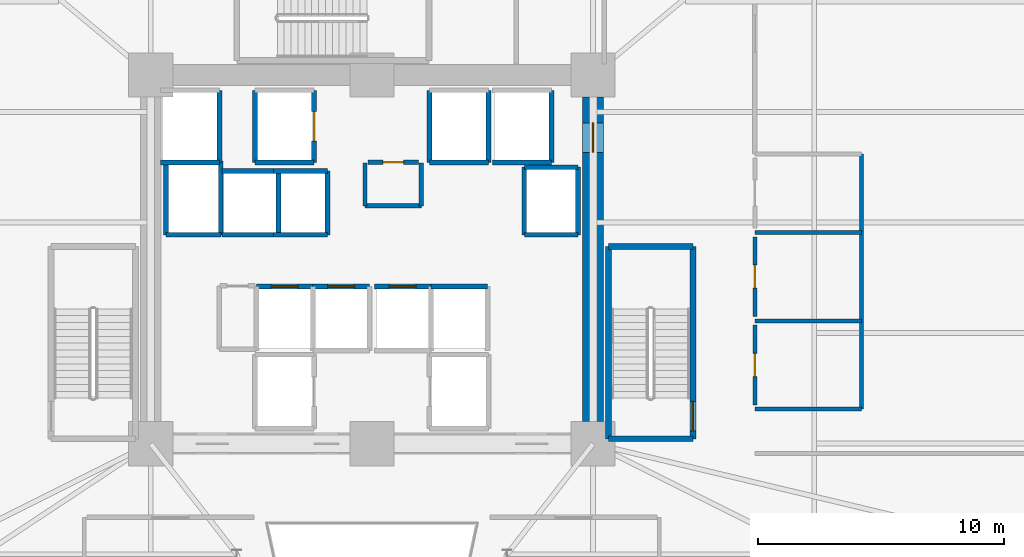
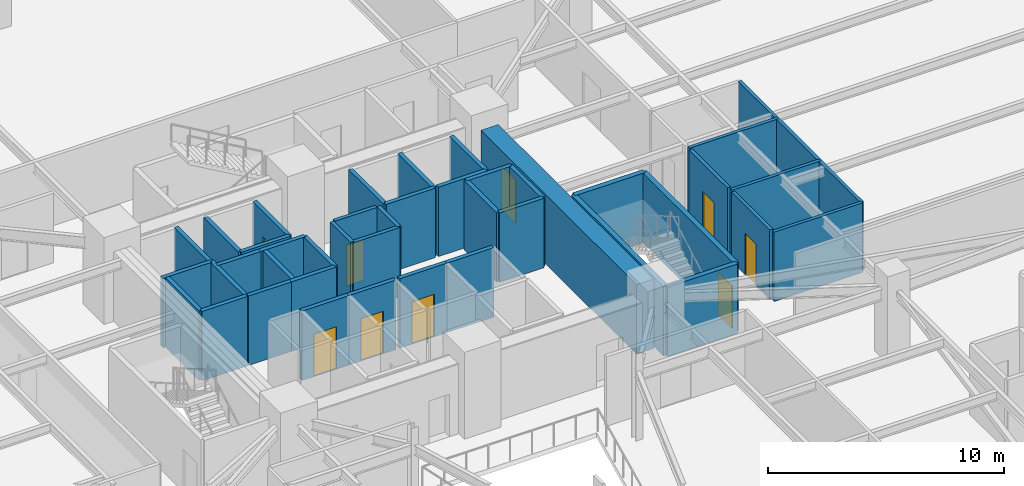
# One storey, part 9 of 19: 42 walls, 9 doors, 9 openings.
"""IFC4 building model written with IfcOpenShell, lengths in metres."""

from ifc_helpers import new_model, si_unit, direction, frame, frame_2d, origin, place, context, subcontext, project, spatial, rectangle, extrude, source, transform, mapped, material, layer, layer_set, type_object, element, fill, save


model = new_model("IFC4")

# Units and contexts
model_context = context("Model", 3, precision=1e-05, world=origin(), true_north=direction((0.0, 1.0)))
body_context = subcontext(model_context, "Body", "Model", "MODEL_VIEW")
ifc_project = project(units=[si_unit("LENGTHUNIT", "METRE"), si_unit("AREAUNIT", "SQUARE_METRE"), si_unit("VOLUMEUNIT", "CUBIC_METRE"), si_unit("PLANEANGLEUNIT", "RADIAN"), si_unit("MASSUNIT", "GRAM", prefix="KILO")], contexts=[model_context])

# Site, building, storey
site_placement = place(None, origin())
site = spatial("IfcSite", under=ifc_project, at=site_placement, CompositionType="ELEMENT")
building_placement = place(site_placement, origin())
building = spatial("IfcBuilding", under=site, at=building_placement, Name="Liaohun Quay Tower", CompositionType="ELEMENT")
storey_placement = place(building_placement, frame((0.0, 0.0, 18.89990234375)))
storey = spatial("IfcBuildingStorey", under=building, at=storey_placement, Name="L05", CompositionType="ELEMENT", Elevation=18.89990234375)

# Wall, opening, door
ifc_material_1 = material(Name="Concrete C60", Category="concrete")
ifc_layer_1 = layer(ifc_material_1, 0.85009765625, Name="Concrete C60", Category="concrete")
ifc_layer_set_1 = layer_set([ifc_layer_1], Name="Concrete C60")
wall_type_1 = type_object("IfcWallType", Name="WAL-COR-Z1", PredefinedType="SHEAR", material=ifc_layer_set_1)
wall_1_placement = place(storey_placement, frame((69.0, 60.60009765625, 0.0), z_axis=(0.0, 0.0, 1.0), x_axis=(0.0, -1.0, 0.0)))
wall_1 = element("IfcWall", 1, at=wall_1_placement, inside=storey, type_object=wall_type_1, Name="L05 Central Core Shear Wall E", PredefinedType="SHEAR", context=body_context, shape_type="SweptSolid", body=[
    extrude(rectangle(XDim=13.2001953125, YDim=0.85009765625, at=frame_2d((6.60009765625, 0.0))), origin(), (0.0, 0.0, 1.0), 3.60009765625),
])
shared_shape_1 = source(origin(), body_context, "Body", "SweptSolid", [
    extrude(rectangle(XDim=1.199951171875, YDim=2.199951171875, at=frame_2d((0.60009765625, 1.10009765625))), frame((0.0, 0.43505859375, 0.0), z_axis=(0.0, -1.0, 0.0), x_axis=(1.0, 0.0, 0.0)), (0.0, 0.0, 1.0), 0.8701171875),
])
opening_1_placement = place(wall_1_placement, frame((1.050048828125, 0.0, 0.0)))
opening_1 = element("IfcOpeningElement", 2, at=opening_1_placement, cuts=wall_1, Name="Opening SD1", PredefinedType="OPENING", context=body_context, shape_type="MappedRepresentation", body=[
    mapped(shared_shape_1, transform((0.0, 0.0, 0.0), x_axis=(1.0, 0.0, 0.0), y_axis=(0.0, 1.0, 0.0), z_axis=(0.0, 0.0, 1.0), scale=1.0)),
])
ifc_material_2 = material(Name="Galvanised steel fire door", Category="steel")
door_type_1 = type_object("IfcDoorType", Name="DOR-STR-1200", OperationType="NOTDEFINED", PredefinedType="DOOR", material=ifc_material_2)
shared_shape_2 = source(origin(), body_context, "Body", "SweptSolid", [
    extrude(rectangle(XDim=1.199951171875, YDim=2.199951171875, at=frame_2d((0.60009765625, 1.10009765625))), frame((0.0, 0.02490234375, 0.0), z_axis=(0.0, -1.0, 0.0), x_axis=(1.0, 0.0, 0.0)), (0.0, 0.0, 1.0), 0.050048828125),
])
door_1_placement = place(opening_1_placement, origin())
door_1 = element("IfcDoor", 3, at=door_1_placement, inside=storey, type_object=door_type_1, Name="L05 North-East Core Lobby Smokeproof Door", OperationType="SINGLE_SWING_LEFT", OverallHeight=2.199951171875, OverallWidth=1.199951171875, PredefinedType="DOOR", context=body_context, shape_type="MappedRepresentation", body=[
    mapped(shared_shape_2, transform((0.0, 0.0, 0.0), x_axis=(1.0, 0.0, 0.0), y_axis=(0.0, 1.0, 0.0), z_axis=(0.0, 0.0, 1.0), scale=1.0)),
])
fill(opening_1, door_1)

ifc_material_3 = material(Name="Autoclaved aerated concrete blockwork", Category="masonry")
ifc_layer_2 = layer(ifc_material_3, 0.179931640625, Name="Autoclaved aerated concrete blockwork", Category="masonry")
ifc_layer_set_2 = layer_set([ifc_layer_2], Name="Autoclaved aerated concrete blockwork")
wall_type_2 = type_object("IfcWallType", Name="WAL-PRT-COR", PredefinedType="PARTITIONING", material=ifc_layer_set_2)
wall_2_placement = place(storey_placement, frame((59.840087890625, 57.949951171875, 0.0), z_axis=(0.0, 0.0, 1.0), x_axis=(1.0, 0.0, 0.0)))
wall_2 = element("IfcWall", 4, at=wall_2_placement, inside=storey, type_object=wall_type_2, Name="L05 Interior Partition Wall 001", PredefinedType="PARTITIONING", context=body_context, shape_type="SweptSolid", body=[
    extrude(rectangle(XDim=2.059814453125, YDim=0.179931640625, at=frame_2d((1.02978515625, 0.0))), origin(), (0.0, 0.0, 1.0), 3.60009765625),
])
shared_shape_3 = source(origin(), body_context, "Body", "SweptSolid", [
    extrude(rectangle(XDim=0.85009765625, YDim=2.10009765625, at=frame_2d((0.425048828125, 1.050048828125))), frame((0.0, 0.099853515625, 0.0), z_axis=(0.0, -1.0, 0.0), x_axis=(1.0, 0.0, 0.0)), (0.0, 0.0, 1.0), 0.199951171875),
])
opening_2_placement = place(wall_2_placement, frame((0.60498046875, 0.0, 0.0)))
opening_2 = element("IfcOpeningElement", 5, at=opening_2_placement, cuts=wall_2, Name="Opening AD1", PredefinedType="OPENING", context=body_context, shape_type="MappedRepresentation", body=[
    mapped(shared_shape_3, transform((0.0, 0.0, 0.0), x_axis=(1.0, 0.0, 0.0), y_axis=(0.0, 1.0, 0.0), z_axis=(0.0, 0.0, 1.0), scale=1.0)),
])
ifc_material_4 = material(Name="Steel riser inspection fire door", Category="steel")
door_type_2 = type_object("IfcDoorType", Name="DOR-SHF-850", OperationType="NOTDEFINED", PredefinedType="DOOR", material=ifc_material_4)
shared_shape_4 = source(origin(), body_context, "Body", "SweptSolid", [
    extrude(rectangle(XDim=0.85009765625, YDim=2.10009765625, at=frame_2d((0.425048828125, 1.050048828125))), frame((0.0, 0.02490234375, 0.0), z_axis=(0.0, -1.0, 0.0), x_axis=(1.0, 0.0, 0.0)), (0.0, 0.0, 1.0), 0.050048828125),
])
door_2_placement = place(opening_2_placement, origin())
door_2 = element("IfcDoor", 6, at=door_2_placement, inside=storey, type_object=door_type_2, Name="L05 Core Janitor and Cleaner Store Door", OperationType="SINGLE_SWING_RIGHT", OverallHeight=2.10009765625, OverallWidth=0.85009765625, PredefinedType="DOOR", context=body_context, shape_type="MappedRepresentation", body=[
    mapped(shared_shape_4, transform((0.0, 0.0, 0.0), x_axis=(1.0, 0.0, 0.0), y_axis=(0.0, 1.0, 0.0), z_axis=(0.0, 0.0, 1.0), scale=1.0)),
])
fill(opening_2, door_2)

# Walls
for number, where, z_axis, x_axis, name in (
    (7, (59.719970703125, 56.179931640625, 0.0), (0.0, 0.0, 1.0), (0.0, 1.0, 0.0), "L05 Interior Partition Wall 017"),
    (8, (62.010009765625, 56.179931640625, 0.0), (0.0, 0.0, 1.0), (0.0, 1.0, 0.0), "L05 Interior Partition Wall 018"),
):
    element("IfcWall", number, at=place(storey_placement, frame(where, z_axis=z_axis, x_axis=x_axis)), inside=storey, type_object=wall_type_2, Name=name, PredefinedType="PARTITIONING", context=body_context, shape_type="SweptSolid", body=[
        extrude(rectangle(XDim=1.739990234375, YDim=0.179931640625, at=frame_2d((0.8701171875, 0.0))), origin(), (0.0, 0.0, 1.0), 3.60009765625),
    ])
wall_3_placement = place(storey_placement, frame((59.719970703125, 56.179931640625, 0.0), z_axis=(0.0, 0.0, 1.0), x_axis=(1.0, 0.0, 0.0)))
element("IfcWall", 9, at=wall_3_placement, inside=storey, type_object=wall_type_2, Name="L05 Interior Partition Wall 019", PredefinedType="PARTITIONING", context=body_context, shape_type="SweptSolid", body=[
    extrude(rectangle(XDim=2.2900390625, YDim=0.179931640625, at=frame_2d((1.14501953125, 0.0))), origin(), (0.0, 0.0, 1.0), 3.60009765625),
])

# Wall, opening, door
ifc_material_5 = material(Name="Moisture-resistant masonry blockwork", Category="masonry")
ifc_layer_3 = layer(ifc_material_5, 0.159912109375, Name="Moisture-resistant masonry blockwork", Category="masonry")
ifc_layer_set_3 = layer_set([ifc_layer_3], Name="Moisture-resistant masonry blockwork")
wall_type_3 = type_object("IfcWallType", Name="WAL-PRT-WET", PredefinedType="PARTITIONING", material=ifc_layer_set_3)
wall_4_placement = place(storey_placement, frame((75.580078125, 48.080078125, 0.0), z_axis=(0.0, 0.0, 1.0), x_axis=(0.0, 1.0, 0.0)))
wall_4 = element("IfcWall", 10, at=wall_4_placement, inside=storey, type_object=wall_type_3, Name="L05 Interior Partition Wall 003", PredefinedType="PARTITIONING", context=body_context, shape_type="SweptSolid", body=[
    extrude(rectangle(XDim=3.239990234375, YDim=0.159912109375, at=frame_2d((1.6201171875, 0.0))), origin(), (0.0, 0.0, 1.0), 3.60009765625),
])
shared_shape_5 = source(origin(), body_context, "Body", "SweptSolid", [
    extrude(rectangle(XDim=0.949951171875, YDim=2.14990234375, at=frame_2d((0.47509765625, 1.074951171875))), frame((0.0, 0.08984375, 0.0), z_axis=(0.0, -1.0, 0.0), x_axis=(1.0, 0.0, 0.0)), (0.0, 0.0, 1.0), 0.179931640625),
])
opening_3_placement = place(wall_4_placement, frame((1.14501953125, 0.0, 0.0)))
opening_3 = element("IfcOpeningElement", 11, at=opening_3_placement, cuts=wall_4, Name="Opening WD1", PredefinedType="OPENING", context=body_context, shape_type="MappedRepresentation", body=[
    mapped(shared_shape_5, transform((0.0, 0.0, 0.0), x_axis=(1.0, 0.0, 0.0), y_axis=(0.0, 1.0, 0.0), z_axis=(0.0, 0.0, 1.0), scale=1.0)),
])
ifc_material_6 = material(Name="Moisture-resistant laminate timber leaf", Category="wood")
door_type_3 = type_object("IfcDoorType", Name="DOR-WC-950", OperationType="NOTDEFINED", PredefinedType="DOOR", material=ifc_material_6)
shared_shape_6 = source(origin(), body_context, "Body", "SweptSolid", [
    extrude(rectangle(XDim=0.949951171875, YDim=2.14990234375, at=frame_2d((0.47509765625, 1.074951171875))), frame((0.0, 0.02490234375, 0.0), z_axis=(0.0, -1.0, 0.0), x_axis=(1.0, 0.0, 0.0)), (0.0, 0.0, 1.0), 0.050048828125),
])
door_3_placement = place(opening_3_placement, origin())
door_3 = element("IfcDoor", 12, at=door_3_placement, inside=storey, type_object=door_type_3, Name="L05 Podium Male Restroom WC Door", OperationType="SINGLE_SWING_RIGHT", OverallHeight=2.14990234375, OverallWidth=0.949951171875, PredefinedType="DOOR", context=body_context, shape_type="MappedRepresentation", body=[
    mapped(shared_shape_6, transform((0.0, 0.0, 0.0), x_axis=(1.0, 0.0, 0.0), y_axis=(0.0, 1.0, 0.0), z_axis=(0.0, 0.0, 1.0), scale=1.0)),
])
fill(opening_3, door_3)

wall_5_placement = place(storey_placement, frame((75.580078125, 51.679931640625, 0.0), z_axis=(0.0, 0.0, 1.0), x_axis=(0.0, 1.0, 0.0)))
wall_5 = element("IfcWall", 13, at=wall_5_placement, inside=storey, type_object=wall_type_3, Name="L05 Interior Partition Wall 004", PredefinedType="PARTITIONING", context=body_context, shape_type="SweptSolid", body=[
    extrude(rectangle(XDim=3.239990234375, YDim=0.159912109375, at=frame_2d((1.6201171875, 0.0))), origin(), (0.0, 0.0, 1.0), 3.60009765625),
])
opening_4_placement = place(wall_5_placement, frame((1.14501953125, 0.0, 0.0)))
opening_4 = element("IfcOpeningElement", 14, at=opening_4_placement, cuts=wall_5, Name="Opening WD1", PredefinedType="OPENING", context=body_context, shape_type="MappedRepresentation", body=[
    mapped(shared_shape_5, transform((0.0, 0.0, 0.0), x_axis=(1.0, 0.0, 0.0), y_axis=(0.0, 1.0, 0.0), z_axis=(0.0, 0.0, 1.0), scale=1.0)),
])
door_4_placement = place(opening_4_placement, origin())
door_4 = element("IfcDoor", 15, at=door_4_placement, inside=storey, type_object=door_type_3, Name="L05 Podium Female Restroom WC Door", OperationType="SINGLE_SWING_LEFT", OverallHeight=2.14990234375, OverallWidth=0.949951171875, PredefinedType="DOOR", context=body_context, shape_type="MappedRepresentation", body=[
    mapped(shared_shape_6, transform((0.0, 0.0, 0.0), x_axis=(1.0, 0.0, 0.0), y_axis=(0.0, 1.0, 0.0), z_axis=(0.0, 0.0, 1.0), scale=1.0)),
])
fill(opening_4, door_4)

# Walls
wall_6_placement = place(storey_placement, frame((79.919921875, 47.919921875, 0.0), z_axis=(0.0, 0.0, 1.0), x_axis=(0.0, 1.0, 0.0)))
element("IfcWall", 16, at=wall_6_placement, inside=storey, type_object=wall_type_3, Name="L05 Interior Partition Wall 022", PredefinedType="PARTITIONING", context=body_context, shape_type="SweptSolid", body=[
    extrude(rectangle(XDim=10.360107421875, YDim=0.159912109375, at=frame_2d((5.18017578125, 0.0))), origin(), (0.0, 0.0, 1.0), 3.60009765625),
])
for number, where, z_axis, x_axis, name in (
    (17, (75.580078125, 47.919921875, 0.0), (0.0, 0.0, 1.0), (1.0, 0.0, 0.0), "L05 Interior Partition Wall 023"),
    (18, (75.580078125, 51.5, 0.0), (0.0, 0.0, 1.0), (1.0, 0.0, 0.0), "L05 Interior Partition Wall 024"),
    (19, (75.580078125, 55.10009765625, 0.0), (0.0, 0.0, 1.0), (1.0, 0.0, 0.0), "L05 Interior Partition Wall 025"),
):
    element("IfcWall", number, at=place(storey_placement, frame(where, z_axis=z_axis, x_axis=x_axis)), inside=storey, type_object=wall_type_3, Name=name, PredefinedType="PARTITIONING", context=body_context, shape_type="SweptSolid", body=[
        extrude(rectangle(XDim=4.33984375, YDim=0.159912109375, at=frame_2d((2.169921875, 0.0))), origin(), (0.0, 0.0, 1.0), 3.60009765625),
    ])
ifc_material_7 = material(Name="Concrete C50", Category="concrete")
ifc_layer_4 = layer(ifc_material_7, 0.239990234375, Name="Concrete C50", Category="concrete")
ifc_layer_set_4 = layer_set([ifc_layer_4], Name="Concrete C50")
wall_type_4 = type_object("IfcWallType", Name="WAL-SHF-200", PredefinedType="SOLIDWALL", material=ifc_layer_set_4)
wall_7_placement = place(storey_placement, frame((69.6201171875, 46.699951171875, 0.0), z_axis=(0.0, 0.0, 1.0), x_axis=(1.0, 0.0, 0.0)))
element("IfcWall", 20, at=wall_7_placement, inside=storey, type_object=wall_type_4, Name="L05 Stairwell ST-2 Structural Core Wall S", PredefinedType="SOLIDWALL", context=body_context, shape_type="SweptSolid", body=[
    extrude(rectangle(XDim=3.43994140625, YDim=0.239990234375, at=frame_2d((1.719970703125, 0.0))), origin(), (0.0, 0.0, 1.0), 3.60009765625),
])

# Wall, opening, door
wall_8_placement = place(storey_placement, frame((73.06005859375, 46.699951171875, 0.0), z_axis=(0.0, 0.0, 1.0), x_axis=(0.0, 1.0, 0.0)))
wall_8 = element("IfcWall", 21, at=wall_8_placement, inside=storey, type_object=wall_type_4, Name="L05 Stairwell ST-2 Structural Core Wall E", PredefinedType="SOLIDWALL", context=body_context, shape_type="SweptSolid", body=[
    extrude(rectangle(XDim=7.820068359375, YDim=0.239990234375, at=frame_2d((3.91015625, 0.0))), origin(), (0.0, 0.0, 1.0), 3.60009765625),
])
shared_shape_7 = source(origin(), body_context, "Body", "SweptSolid", [
    extrude(rectangle(XDim=1.199951171875, YDim=2.199951171875, at=frame_2d((0.60009765625, 1.10009765625))), frame((0.0, 0.1298828125, 0.0), z_axis=(0.0, -1.0, 0.0), x_axis=(1.0, 0.0, 0.0)), (0.0, 0.0, 1.0), 0.260009765625),
])
opening_5_placement = place(wall_8_placement, frame((0.320068359375, 0.0, 0.0)))
opening_5 = element("IfcOpeningElement", 22, at=opening_5_placement, cuts=wall_8, Name="Opening SD1", PredefinedType="OPENING", context=body_context, shape_type="MappedRepresentation", body=[
    mapped(shared_shape_7, transform((0.0, 0.0, 0.0), x_axis=(1.0, 0.0, 0.0), y_axis=(0.0, 1.0, 0.0), z_axis=(0.0, 0.0, 1.0), scale=1.0)),
])
door_5_placement = place(opening_5_placement, origin())
door_5 = element("IfcDoor", 23, at=door_5_placement, inside=storey, type_object=door_type_1, Name="L05 Protected Stair ST-2 Fire Door", OperationType="SINGLE_SWING_RIGHT", OverallHeight=2.199951171875, OverallWidth=1.199951171875, PredefinedType="DOOR", context=body_context, shape_type="MappedRepresentation", body=[
    mapped(shared_shape_2, transform((0.0, 0.0, 0.0), x_axis=(1.0, 0.0, 0.0), y_axis=(0.0, 1.0, 0.0), z_axis=(0.0, 0.0, 1.0), scale=1.0)),
])
fill(opening_5, door_5)

# Walls
wall_9_placement = place(storey_placement, frame((73.06005859375, 54.52001953125, 0.0), z_axis=(0.0, 0.0, 1.0), x_axis=(-1.0, 0.0, 0.0)))
element("IfcWall", 24, at=wall_9_placement, inside=storey, type_object=wall_type_4, Name="L05 Stairwell ST-2 Structural Core Wall N", PredefinedType="SOLIDWALL", context=body_context, shape_type="SweptSolid", body=[
    extrude(rectangle(XDim=3.43994140625, YDim=0.239990234375, at=frame_2d((1.719970703125, 0.0))), origin(), (0.0, 0.0, 1.0), 3.60009765625),
])
wall_10_placement = place(storey_placement, frame((69.6201171875, 54.52001953125, 0.0), z_axis=(0.0, 0.0, 1.0), x_axis=(0.0, -1.0, 0.0)))
element("IfcWall", 25, at=wall_10_placement, inside=storey, type_object=wall_type_4, Name="L05 Stairwell ST-2 Structural Core Wall W", PredefinedType="SOLIDWALL", context=body_context, shape_type="SweptSolid", body=[
    extrude(rectangle(XDim=7.820068359375, YDim=0.239990234375, at=frame_2d((3.91015625, 0.0))), origin(), (0.0, 0.0, 1.0), 3.60009765625),
])
wall_11_placement = place(storey_placement, frame((55.25, 57.949951171875, 0.0), z_axis=(0.0, 0.0, 1.0), x_axis=(1.0, 0.0, 0.0)))
element("IfcWall", 26, at=wall_11_placement, inside=storey, type_object=wall_type_4, Name="L05 Lift FF-03 Hoistway Wall S", PredefinedType="SOLIDWALL", context=body_context, shape_type="SweptSolid", body=[
    extrude(rectangle(XDim=2.39990234375, YDim=0.199951171875, at=frame_2d((1.199951171875, 0.0))), origin(), (0.0, 0.0, 1.0), 3.60009765625),
])

# Wall, opening, door
wall_12_placement = place(storey_placement, frame((57.64990234375, 57.949951171875, 0.0), z_axis=(0.0, 0.0, 1.0), x_axis=(0.0, 1.0, 0.0)))
wall_12 = element("IfcWall", 27, at=wall_12_placement, inside=storey, type_object=wall_type_4, Name="L05 Lift FF-03 Hoistway Wall E", PredefinedType="SOLIDWALL", context=body_context, shape_type="SweptSolid", body=[
    extrude(rectangle(XDim=2.929931640625, YDim=0.199951171875, at=frame_2d((1.46484375, 0.0))), origin(), (0.0, 0.0, 1.0), 3.60009765625),
])
shared_shape_8 = source(origin(), body_context, "Body", "SweptSolid", [
    extrude(rectangle(XDim=1.199951171875, YDim=2.300048828125, at=frame_2d((0.60009765625, 1.14990234375))), frame((0.0, 0.10986328125, 0.0), z_axis=(0.0, -1.0, 0.0), x_axis=(1.0, 0.0, 0.0)), (0.0, 0.0, 1.0), 0.219970703125),
])
opening_6_placement = place(wall_12_placement, frame((0.864990234375, 0.0, 0.0)))
opening_6 = element("IfcOpeningElement", 28, at=opening_6_placement, cuts=wall_12, Name="Opening LD2", PredefinedType="OPENING", context=body_context, shape_type="MappedRepresentation", body=[
    mapped(shared_shape_8, transform((0.0, 0.0, 0.0), x_axis=(1.0, 0.0, 0.0), y_axis=(0.0, 1.0, 0.0), z_axis=(0.0, 0.0, 1.0), scale=1.0)),
])
ifc_material_8 = material(Name="Brushed stainless steel stretcher landing door", Category="steel")
door_type_4 = type_object("IfcDoorType", Name="DOR-LFT-1200", OperationType="SLIDING_TO_LEFT", PredefinedType="DOOR", material=ifc_material_8)
shared_shape_9 = source(origin(), body_context, "Body", "SweptSolid", [
    extrude(rectangle(XDim=1.199951171875, YDim=2.300048828125, at=frame_2d((0.60009765625, 1.14990234375))), frame((0.0, 0.02490234375, 0.0), z_axis=(0.0, -1.0, 0.0), x_axis=(1.0, 0.0, 0.0)), (0.0, 0.0, 1.0), 0.050048828125),
])
door_6_placement = place(opening_6_placement, origin())
door_6 = element("IfcDoor", 29, at=door_6_placement, inside=storey, type_object=door_type_4, Name="L05 Lift FF-03 Sliding Landing Door", OperationType="SLIDING_TO_LEFT", OverallHeight=2.300048828125, OverallWidth=1.199951171875, PredefinedType="DOOR", context=body_context, shape_type="MappedRepresentation", body=[
    mapped(shared_shape_9, transform((0.0, 0.0, 0.0), x_axis=(1.0, 0.0, 0.0), y_axis=(0.0, 1.0, 0.0), z_axis=(0.0, 0.0, 1.0), scale=1.0)),
])
fill(opening_6, door_6)

# Walls
wall_13_placement = place(storey_placement, frame((55.25, 60.8798828125, 0.0), z_axis=(0.0, 0.0, 1.0), x_axis=(0.0, -1.0, 0.0)))
element("IfcWall", 30, at=wall_13_placement, inside=storey, type_object=wall_type_4, Name="L05 Lift FF-03 Hoistway Wall W", PredefinedType="SOLIDWALL", context=body_context, shape_type="SweptSolid", body=[
    extrude(rectangle(XDim=2.929931640625, YDim=0.199951171875, at=frame_2d((1.46484375, 0.0))), origin(), (0.0, 0.0, 1.0), 3.60009765625),
])
wall_14_placement = place(storey_placement, frame((62.35009765625, 57.949951171875, 0.0), z_axis=(0.0, 0.0, 1.0), x_axis=(1.0, 0.0, 0.0)))
element("IfcWall", 31, at=wall_14_placement, inside=storey, type_object=wall_type_4, Name="L05 Lift OB-01 Hoistway Wall S", PredefinedType="SOLIDWALL", context=body_context, shape_type="SweptSolid", body=[
    extrude(rectangle(XDim=2.39990234375, YDim=0.199951171875, at=frame_2d((1.199951171875, 0.0))), origin(), (0.0, 0.0, 1.0), 3.60009765625),
])
for number, where, z_axis, x_axis, name in (
    (32, (64.75, 57.949951171875, 0.0), (0.0, 0.0, 1.0), (0.0, 1.0, 0.0), "L05 Lift OB-01 Hoistway Wall E"),
    (33, (62.35009765625, 60.8798828125, 0.0), (0.0, 0.0, 1.0), (0.0, -1.0, 0.0), "L05 Lift OB-01 Hoistway Wall W"),
):
    element("IfcWall", number, at=place(storey_placement, frame(where, z_axis=z_axis, x_axis=x_axis)), inside=storey, type_object=wall_type_4, Name=name, PredefinedType="SOLIDWALL", context=body_context, shape_type="SweptSolid", body=[
        extrude(rectangle(XDim=2.929931640625, YDim=0.199951171875, at=frame_2d((1.46484375, 0.0))), origin(), (0.0, 0.0, 1.0), 3.60009765625),
    ])
wall_15_placement = place(storey_placement, frame((64.89990234375, 57.949951171875, 0.0), z_axis=(0.0, 0.0, 1.0), x_axis=(1.0, 0.0, 0.0)))
element("IfcWall", 34, at=wall_15_placement, inside=storey, type_object=wall_type_4, Name="L05 Lift OB-02 Hoistway Wall S", PredefinedType="SOLIDWALL", context=body_context, shape_type="SweptSolid", body=[
    extrude(rectangle(XDim=2.400146484375, YDim=0.199951171875, at=frame_2d((1.2001953125, 0.0))), origin(), (0.0, 0.0, 1.0), 3.60009765625),
])
wall_16_placement = place(storey_placement, frame((67.300048828125, 57.949951171875, 0.0), z_axis=(0.0, 0.0, 1.0), x_axis=(0.0, 1.0, 0.0)))
element("IfcWall", 35, at=wall_16_placement, inside=storey, type_object=wall_type_4, Name="L05 Lift OB-02 Hoistway Wall E", PredefinedType="SOLIDWALL", context=body_context, shape_type="SweptSolid", body=[
    extrude(rectangle(XDim=2.929931640625, YDim=0.199951171875, at=frame_2d((1.46484375, 0.0))), origin(), (0.0, 0.0, 1.0), 3.60009765625),
])
wall_17_placement = place(storey_placement, frame((51.39990234375, 57.949951171875, 0.0), z_axis=(0.0, 0.0, 1.0), x_axis=(1.0, 0.0, 0.0)))
element("IfcWall", 36, at=wall_17_placement, inside=storey, type_object=wall_type_4, Name="L05 Lift SH-01 Hoistway Wall S", PredefinedType="SOLIDWALL", context=body_context, shape_type="SweptSolid", body=[
    extrude(rectangle(XDim=2.400146484375, YDim=0.199951171875, at=frame_2d((1.2001953125, 0.0))), origin(), (0.0, 0.0, 1.0), 3.60009765625),
])
wall_18_placement = place(storey_placement, frame((53.800048828125, 57.949951171875, 0.0), z_axis=(0.0, 0.0, 1.0), x_axis=(0.0, 1.0, 0.0)))
element("IfcWall", 37, at=wall_18_placement, inside=storey, type_object=wall_type_4, Name="L05 Lift SH-01 Hoistway Wall E", PredefinedType="SOLIDWALL", context=body_context, shape_type="SweptSolid", body=[
    extrude(rectangle(XDim=2.929931640625, YDim=0.199951171875, at=frame_2d((1.46484375, 0.0))), origin(), (0.0, 0.0, 1.0), 3.60009765625),
])
wall_19_placement = place(storey_placement, frame((51.6201171875, 55.0, 0.0), z_axis=(0.0, 0.0, 1.0), x_axis=(1.0, 0.0, 0.0)))
element("IfcWall", 38, at=wall_19_placement, inside=storey, type_object=wall_type_4, Name="L05 Lift SH-02 Hoistway Wall S", PredefinedType="SOLIDWALL", context=body_context, shape_type="SweptSolid", body=[
    extrude(rectangle(XDim=2.22998046875, YDim=0.199951171875, at=frame_2d((1.114990234375, 0.0))), origin(), (0.0, 0.0, 1.0), 3.60009765625),
])
for number, where, z_axis, x_axis, name in (
    (39, (53.85009765625, 55.0, 0.0), (0.0, 0.0, 1.0), (0.0, 1.0, 0.0), "L05 Lift SH-02 Hoistway Wall E"),
    (40, (51.6201171875, 58.0, 0.0), (0.0, 0.0, 1.0), (0.0, -1.0, 0.0), "L05 Lift SH-02 Hoistway Wall W"),
):
    element("IfcWall", number, at=place(storey_placement, frame(where, z_axis=z_axis, x_axis=x_axis)), inside=storey, type_object=wall_type_4, Name=name, PredefinedType="SOLIDWALL", context=body_context, shape_type="SweptSolid", body=[
        extrude(rectangle(XDim=3.0, YDim=0.199951171875, at=frame_2d((1.5, 0.0))), origin(), (0.0, 0.0, 1.0), 3.60009765625),
    ])
wall_20_placement = place(storey_placement, frame((66.199951171875, 55.0, 0.0), z_axis=(0.0, 0.0, 1.0), x_axis=(1.0, 0.0, 0.0)))
element("IfcWall", 41, at=wall_20_placement, inside=storey, type_object=wall_type_4, Name="L05 Lift SH-03 Hoistway Wall S", PredefinedType="SOLIDWALL", context=body_context, shape_type="SweptSolid", body=[
    extrude(rectangle(XDim=2.179931640625, YDim=0.199951171875, at=frame_2d((1.08984375, 0.0))), origin(), (0.0, 0.0, 1.0), 3.60009765625),
])
wall_21_placement = place(storey_placement, frame((68.3798828125, 55.0, 0.0), z_axis=(0.0, 0.0, 1.0), x_axis=(0.0, 1.0, 0.0)))
element("IfcWall", 42, at=wall_21_placement, inside=storey, type_object=wall_type_4, Name="L05 Lift SH-03 Hoistway Wall E", PredefinedType="SOLIDWALL", context=body_context, shape_type="SweptSolid", body=[
    extrude(rectangle(XDim=2.75, YDim=0.199951171875, at=frame_2d((1.375, 0.0))), origin(), (0.0, 0.0, 1.0), 3.60009765625),
])
wall_22_placement = place(storey_placement, frame((68.3798828125, 57.75, 0.0), z_axis=(0.0, 0.0, 1.0), x_axis=(-1.0, 0.0, 0.0)))
element("IfcWall", 43, at=wall_22_placement, inside=storey, type_object=wall_type_4, Name="L05 Lift SH-03 Hoistway Wall N", PredefinedType="SOLIDWALL", context=body_context, shape_type="SweptSolid", body=[
    extrude(rectangle(XDim=2.179931640625, YDim=0.199951171875, at=frame_2d((1.08984375, 0.0))), origin(), (0.0, 0.0, 1.0), 3.60009765625),
])
wall_23_placement = place(storey_placement, frame((66.199951171875, 57.75, 0.0), z_axis=(0.0, 0.0, 1.0), x_axis=(0.0, -1.0, 0.0)))
element("IfcWall", 44, at=wall_23_placement, inside=storey, type_object=wall_type_4, Name="L05 Lift SH-03 Hoistway Wall W", PredefinedType="SOLIDWALL", context=body_context, shape_type="SweptSolid", body=[
    extrude(rectangle(XDim=2.75, YDim=0.199951171875, at=frame_2d((1.375, 0.0))), origin(), (0.0, 0.0, 1.0), 3.60009765625),
])

# Wall, opening, door
wall_24_placement = place(storey_placement, frame((57.60009765625, 52.89990234375, 0.0), z_axis=(0.0, 0.0, 1.0), x_axis=(-1.0, 0.0, 0.0)))
wall_24 = element("IfcWall", 45, at=wall_24_placement, inside=storey, type_object=wall_type_4, Name="L05 Lift PL-1A Hoistway Wall N", PredefinedType="SOLIDWALL", context=body_context, shape_type="SweptSolid", body=[
    extrude(rectangle(XDim=2.300048828125, YDim=0.199951171875, at=frame_2d((1.14990234375, 0.0))), origin(), (0.0, 0.0, 1.0), 3.60009765625),
])
shared_shape_10 = source(origin(), body_context, "Body", "SweptSolid", [
    extrude(rectangle(XDim=1.10009765625, YDim=2.199951171875, at=frame_2d((0.550048828125, 1.10009765625))), frame((0.0, 0.10986328125, 0.0), z_axis=(0.0, -1.0, 0.0), x_axis=(1.0, 0.0, 0.0)), (0.0, 0.0, 1.0), 0.219970703125),
])
opening_7_placement = place(wall_24_placement, frame((0.60009765625, 0.0, 0.0)))
opening_7 = element("IfcOpeningElement", 46, at=opening_7_placement, cuts=wall_24, Name="Opening LD1", PredefinedType="OPENING", context=body_context, shape_type="MappedRepresentation", body=[
    mapped(shared_shape_10, transform((0.0, 0.0, 0.0), x_axis=(1.0, 0.0, 0.0), y_axis=(0.0, 1.0, 0.0), z_axis=(0.0, 0.0, 1.0), scale=1.0)),
])
ifc_material_9 = material(Name="Brushed stainless steel landing door", Category="steel")
door_type_5 = type_object("IfcDoorType", Name="DOR-LFT-1100", OperationType="SLIDING_TO_LEFT", PredefinedType="DOOR", material=ifc_material_9)
shared_shape_11 = source(origin(), body_context, "Body", "SweptSolid", [
    extrude(rectangle(XDim=1.10009765625, YDim=2.199951171875, at=frame_2d((0.550048828125, 1.10009765625))), frame((0.0, 0.02490234375, 0.0), z_axis=(0.0, -1.0, 0.0), x_axis=(1.0, 0.0, 0.0)), (0.0, 0.0, 1.0), 0.050048828125),
])
door_7_placement = place(opening_7_placement, origin())
door_7 = element("IfcDoor", 47, at=door_7_placement, inside=storey, type_object=door_type_5, Name="L05 Lift PL-1A Sliding Landing Door", OperationType="SLIDING_TO_LEFT", OverallHeight=2.199951171875, OverallWidth=1.10009765625, PredefinedType="DOOR", context=body_context, shape_type="MappedRepresentation", body=[
    mapped(shared_shape_11, transform((0.0, 0.0, 0.0), x_axis=(1.0, 0.0, 0.0), y_axis=(0.0, 1.0, 0.0), z_axis=(0.0, 0.0, 1.0), scale=1.0)),
])
fill(opening_7, door_7)

wall_25_placement = place(storey_placement, frame((59.89990234375, 52.89990234375, 0.0), z_axis=(0.0, 0.0, 1.0), x_axis=(-1.0, 0.0, 0.0)))
wall_25 = element("IfcWall", 48, at=wall_25_placement, inside=storey, type_object=wall_type_4, Name="L05 Lift PL-1B Hoistway Wall N", PredefinedType="SOLIDWALL", context=body_context, shape_type="SweptSolid", body=[
    extrude(rectangle(XDim=2.2998046875, YDim=0.199951171875, at=frame_2d((1.14990234375, 0.0))), origin(), (0.0, 0.0, 1.0), 3.60009765625),
])
opening_8_placement = place(wall_25_placement, frame((0.60009765625, 0.0, 0.0)))
opening_8 = element("IfcOpeningElement", 49, at=opening_8_placement, cuts=wall_25, Name="Opening LD1", PredefinedType="OPENING", context=body_context, shape_type="MappedRepresentation", body=[
    mapped(shared_shape_10, transform((0.0, 0.0, 0.0), x_axis=(1.0, 0.0, 0.0), y_axis=(0.0, 1.0, 0.0), z_axis=(0.0, 0.0, 1.0), scale=1.0)),
])
door_8_placement = place(opening_8_placement, origin())
door_8 = element("IfcDoor", 50, at=door_8_placement, inside=storey, type_object=door_type_5, Name="L05 Lift PL-1B Sliding Landing Door", OperationType="SLIDING_TO_LEFT", OverallHeight=2.199951171875, OverallWidth=1.10009765625, PredefinedType="DOOR", context=body_context, shape_type="MappedRepresentation", body=[
    mapped(shared_shape_11, transform((0.0, 0.0, 0.0), x_axis=(1.0, 0.0, 0.0), y_axis=(0.0, 1.0, 0.0), z_axis=(0.0, 0.0, 1.0), scale=1.0)),
])
fill(opening_8, door_8)

wall_26_placement = place(storey_placement, frame((62.39990234375, 52.89990234375, 0.0), z_axis=(0.0, 0.0, 1.0), x_axis=(-1.0, 0.0, 0.0)))
wall_26 = element("IfcWall", 51, at=wall_26_placement, inside=storey, type_object=wall_type_4, Name="L05 Lift PL-1C Hoistway Wall N", PredefinedType="SOLIDWALL", context=body_context, shape_type="SweptSolid", body=[
    extrude(rectangle(XDim=2.2998046875, YDim=0.199951171875, at=frame_2d((1.14990234375, 0.0))), origin(), (0.0, 0.0, 1.0), 3.60009765625),
])
opening_9_placement = place(wall_26_placement, frame((0.60009765625, 0.0, 0.0)))
opening_9 = element("IfcOpeningElement", 52, at=opening_9_placement, cuts=wall_26, Name="Opening LD1", PredefinedType="OPENING", context=body_context, shape_type="MappedRepresentation", body=[
    mapped(shared_shape_10, transform((0.0, 0.0, 0.0), x_axis=(1.0, 0.0, 0.0), y_axis=(0.0, 1.0, 0.0), z_axis=(0.0, 0.0, 1.0), scale=1.0)),
])
door_9_placement = place(opening_9_placement, origin())
door_9 = element("IfcDoor", 53, at=door_9_placement, inside=storey, type_object=door_type_5, Name="L05 Lift PL-1C Sliding Landing Door", OperationType="SLIDING_TO_LEFT", OverallHeight=2.199951171875, OverallWidth=1.10009765625, PredefinedType="DOOR", context=body_context, shape_type="MappedRepresentation", body=[
    mapped(shared_shape_11, transform((0.0, 0.0, 0.0), x_axis=(1.0, 0.0, 0.0), y_axis=(0.0, 1.0, 0.0), z_axis=(0.0, 0.0, 1.0), scale=1.0)),
])
fill(opening_9, door_9)

# Walls
for number, where, z_axis, x_axis, name in (
    (54, (64.699951171875, 52.89990234375, 0.0), (0.0, 0.0, 1.0), (-1.0, 0.0, 0.0), "L05 Lift PL-2A Hoistway Wall N"),
    (55, (53.89990234375, 55.0, 0.0), (0.0, 0.0, 1.0), (1.0, 0.0, 0.0), "L05 Lift PL-2B Hoistway Wall S"),
):
    element("IfcWall", number, at=place(storey_placement, frame(where, z_axis=z_axis, x_axis=x_axis)), inside=storey, type_object=wall_type_4, Name=name, PredefinedType="SOLIDWALL", context=body_context, shape_type="SweptSolid", body=[
        extrude(rectangle(XDim=2.300048828125, YDim=0.199951171875, at=frame_2d((1.14990234375, 0.0))), origin(), (0.0, 0.0, 1.0), 3.60009765625),
    ])
wall_27_placement = place(storey_placement, frame((56.199951171875, 55.0, 0.0), z_axis=(0.0, 0.0, 1.0), x_axis=(0.0, 1.0, 0.0)))
element("IfcWall", 56, at=wall_27_placement, inside=storey, type_object=wall_type_4, Name="L05 Lift PL-2B Hoistway Wall E", PredefinedType="SOLIDWALL", context=body_context, shape_type="SweptSolid", body=[
    extrude(rectangle(XDim=2.60009765625, YDim=0.199951171875, at=frame_2d((1.300048828125, 0.0))), origin(), (0.0, 0.0, 1.0), 3.60009765625),
])
wall_28_placement = place(storey_placement, frame((56.199951171875, 57.60009765625, 0.0), z_axis=(0.0, 0.0, 1.0), x_axis=(-1.0, 0.0, 0.0)))
element("IfcWall", 57, at=wall_28_placement, inside=storey, type_object=wall_type_4, Name="L05 Lift PL-2B Hoistway Wall N", PredefinedType="SOLIDWALL", context=body_context, shape_type="SweptSolid", body=[
    extrude(rectangle(XDim=2.300048828125, YDim=0.199951171875, at=frame_2d((1.14990234375, 0.0))), origin(), (0.0, 0.0, 1.0), 3.60009765625),
])
wall_29_placement = place(storey_placement, frame((56.0, 55.0, 0.0), z_axis=(0.0, 0.0, 1.0), x_axis=(1.0, 0.0, 0.0)))
element("IfcWall", 58, at=wall_29_placement, inside=storey, type_object=wall_type_4, Name="L05 Lift PL-2C Hoistway Wall S", PredefinedType="SOLIDWALL", context=body_context, shape_type="SweptSolid", body=[
    extrude(rectangle(XDim=2.199951171875, YDim=0.199951171875, at=frame_2d((1.10009765625, 0.0))), origin(), (0.0, 0.0, 1.0), 3.60009765625),
])
wall_30_placement = place(storey_placement, frame((58.199951171875, 55.0, 0.0), z_axis=(0.0, 0.0, 1.0), x_axis=(0.0, 1.0, 0.0)))
element("IfcWall", 59, at=wall_30_placement, inside=storey, type_object=wall_type_4, Name="L05 Lift PL-2C Hoistway Wall E", PredefinedType="SOLIDWALL", context=body_context, shape_type="SweptSolid", body=[
    extrude(rectangle(XDim=2.60009765625, YDim=0.199951171875, at=frame_2d((1.300048828125, 0.0))), origin(), (0.0, 0.0, 1.0), 3.60009765625),
])
wall_31_placement = place(storey_placement, frame((58.199951171875, 57.60009765625, 0.0), z_axis=(0.0, 0.0, 1.0), x_axis=(-1.0, 0.0, 0.0)))
element("IfcWall", 60, at=wall_31_placement, inside=storey, type_object=wall_type_4, Name="L05 Lift PL-2C Hoistway Wall N", PredefinedType="SOLIDWALL", context=body_context, shape_type="SweptSolid", body=[
    extrude(rectangle(XDim=2.199951171875, YDim=0.199951171875, at=frame_2d((1.10009765625, 0.0))), origin(), (0.0, 0.0, 1.0), 3.60009765625),
])

save(model, "model.ifc")
